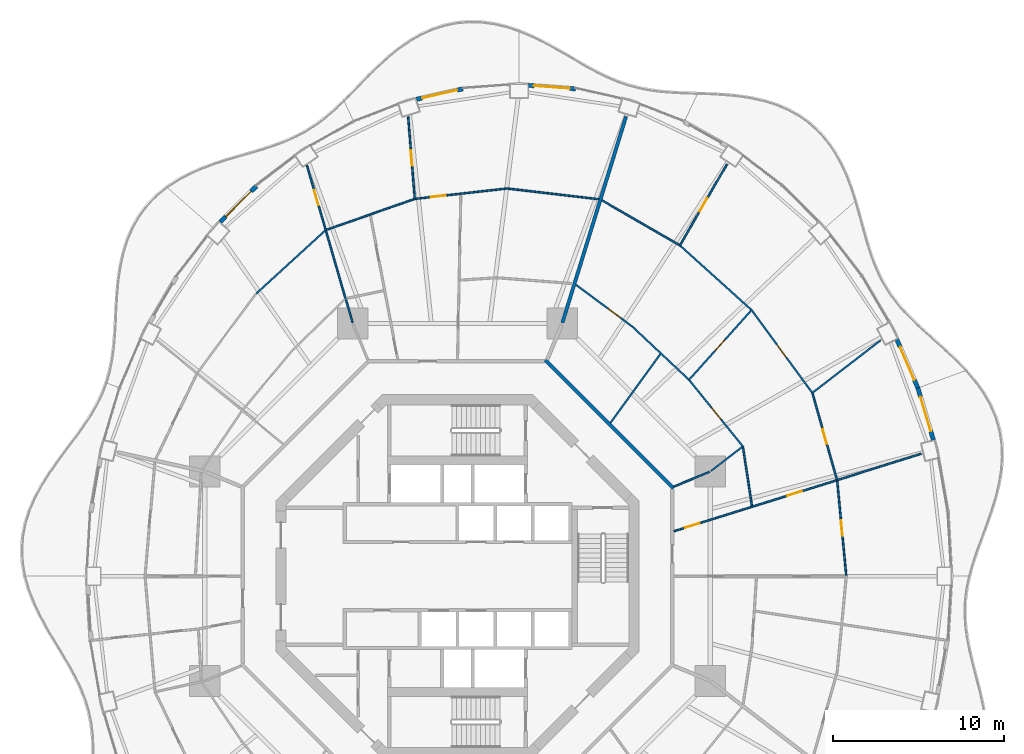
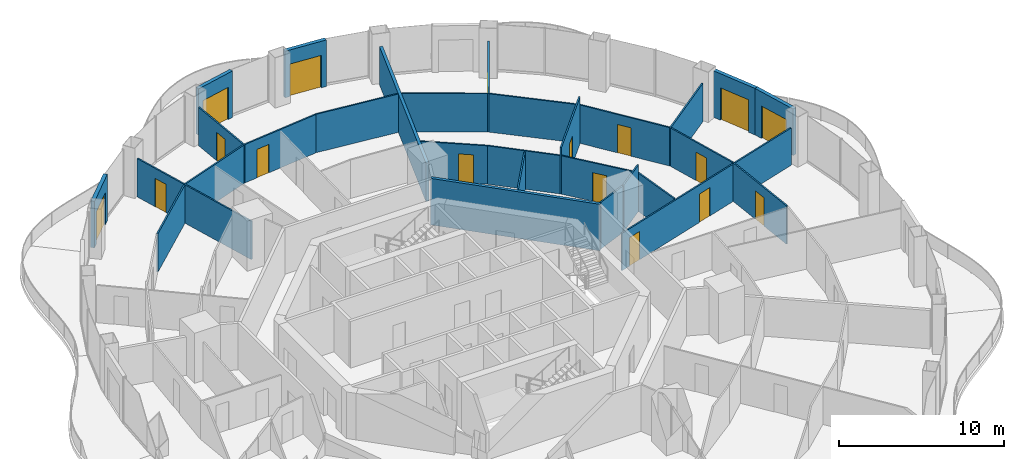
# One storey, part 15 of 19: 29 walls, 17 doors, 17 openings.
"""IFC4 building model written with IfcOpenShell, lengths in metres."""

import ifcopenshell
import ifcopenshell.guid

model = None  # the IFC model being written
_history = None  # IfcOwnerHistory: only IFC2X3 demands one
_inside = {}  # id of a spatial element -> (the spatial element, [elements in it])
_under = {}  # id of a project, library or spatial element -> (it, [spatial elements below it])
_declared = {}  # id of a project -> (the project, [libraries it declares])
_typed = {}  # id of a type object -> (the type object, [elements of that type])
_made_of = {}  # id of a material, layer set ... -> (it, [elements and type objects made of it])


def new_model(schema):
    """Start an empty IFC model of exactly this schema.

    Asked for "IFC4X3", IfcOpenShell would pick the latest addendum, in which some entities
    have other attributes; the version numbers below select the first issue.
    IFC2X3 requires an IfcOwnerHistory on every rooted entity: one is made here for all.
    """
    global model, _history
    if schema == "IFC4X3":
        model = ifcopenshell.file(schema_version=(4, 3, 0, 0))
    else:
        model = ifcopenshell.file(schema=schema)
    _inside.clear()
    _under.clear()
    _declared.clear()
    _typed.clear()
    _made_of.clear()
    _history = None
    if model.schema == "IFC2X3":
        org = make("IfcOrganization", Name="unknown")
        user = make(
            "IfcPersonAndOrganization",
            ThePerson=make("IfcPerson", FamilyName="unknown"),
            TheOrganization=org,
        )
        app = make(
            "IfcApplication",
            ApplicationDeveloper=org,
            Version="unknown",
            ApplicationFullName="unknown",
            ApplicationIdentifier="unknown",
        )
        _history = make(
            "IfcOwnerHistory",
            OwningUser=user,
            OwningApplication=app,
            ChangeAction="ADDED",
            CreationDate=0,
        )
    return model


def make(cls, **values):
    """One entity of the class cls with the attributes given. An attribute that is None is left unset."""
    return model.create_entity(
        cls, **{name: value for name, value in values.items() if value is not None}
    )


def rooted(cls, **values):
    """An entity with a GlobalId (a new one), such as an element, a storey or a relation."""
    return make(cls, GlobalId=ifcopenshell.guid.new(), OwnerHistory=_history, **values)


def si_unit(unit_type, name, prefix=None):
    """IfcSIUnit, for example si_unit("LENGTHUNIT", "METRE", prefix="MILLI")."""
    return make("IfcSIUnit", UnitType=unit_type, Prefix=prefix, Name=name)


def assignment(units):
    """IfcUnitAssignment: the units of a project."""
    return None if units is None else make("IfcUnitAssignment", Units=units)


def point(xyz):
    """IfcCartesianPoint."""
    return None if xyz is None else make("IfcCartesianPoint", Coordinates=xyz)


def direction(xyz):
    """IfcDirection."""
    return None if xyz is None else make("IfcDirection", DirectionRatios=xyz)


def frame(location, z_axis=None, x_axis=None):
    """IfcAxis2Placement3D, a coordinate frame: its origin and axes. An axis left out is left unset."""
    return make(
        "IfcAxis2Placement3D",
        Location=point(location),
        Axis=direction(z_axis),
        RefDirection=direction(x_axis),
    )


def frame_2d(location, x_axis=None):
    """IfcAxis2Placement2D, a coordinate frame in the plane: its origin and x axis."""
    return make(
        "IfcAxis2Placement2D", Location=point(location), RefDirection=direction(x_axis)
    )


def origin():
    """The frame at (0, 0, 0) with its axes left unset."""
    return frame((0.0, 0.0, 0.0))


def place(relative_to, where):
    """IfcLocalPlacement: puts the frame where relative to a parent placement (None: the world)."""
    return make(
        "IfcLocalPlacement", PlacementRelTo=relative_to, RelativePlacement=where
    )


def context(
    kind, dimensions, precision=None, world=None, true_north=None, identifier=None
):
    """IfcGeometricRepresentationContext, for example the 3D "Model" context."""
    return make(
        "IfcGeometricRepresentationContext",
        ContextIdentifier=identifier,
        ContextType=kind,
        CoordinateSpaceDimension=dimensions,
        Precision=precision,
        WorldCoordinateSystem=world,
        TrueNorth=true_north,
    )


def subcontext(parent, identifier, kind, view, scale=None):
    """IfcGeometricRepresentationSubContext, for example "Body" below "Model"."""
    return make(
        "IfcGeometricRepresentationSubContext",
        ContextIdentifier=identifier,
        ContextType=kind,
        ParentContext=parent,
        TargetScale=scale,
        TargetView=view,
    )


def project(units=None, contexts=None):
    """IfcProject with its units and contexts."""
    return rooted(
        "IfcProject",
        Name="project",
        RepresentationContexts=contexts,
        UnitsInContext=assignment(units),
    )


def spatial(cls, under=None, at=None, **own):
    """A site, building, storey or space (cls), placed at a placement, below another one or the project."""
    s = rooted(cls, ObjectPlacement=at, **own)
    if under is not None:
        _under.setdefault(under.id(), (under, []))[1].append(s)
    return s


def profile(cls, at=None, kind="AREA", **sizes):
    """A parametric profile (cls). Its sizes go by their IFC names, for example OverallWidth=200.0."""
    return make(cls, ProfileType=kind, Position=at, **sizes)


def rectangle(**sizes):
    """IfcRectangleProfileDef."""
    return profile("IfcRectangleProfileDef", **sizes)


def extrude(swept, where, along, depth):
    """IfcExtrudedAreaSolid: the profile swept, set in the frame where, extruded along a direction by depth."""
    return make(
        "IfcExtrudedAreaSolid",
        SweptArea=swept,
        Position=where,
        ExtrudedDirection=direction(along),
        Depth=depth,
    )


def shape(context_of_items, identifier, shape_type, items):
    """IfcShapeRepresentation: the items that make up one representation, for example the "Body"."""
    return make(
        "IfcShapeRepresentation",
        ContextOfItems=context_of_items,
        RepresentationIdentifier=identifier,
        RepresentationType=shape_type,
        Items=items,
    )


def material(Name=None, Category=None):
    """IfcMaterial."""
    return make("IfcMaterial", Name=Name, Category=Category)


def layer(
    of_material, thickness, ventilated=None, Name=None, Category=None, Priority=None
):
    """IfcMaterialLayer: one layer of a wall or slab, of a material (None: an air gap)."""
    return make(
        "IfcMaterialLayer",
        Material=of_material,
        LayerThickness=thickness,
        IsVentilated=ventilated,
        Name=Name,
        Category=Category,
        Priority=Priority,
    )


def layer_set(layers, Name=None):
    """IfcMaterialLayerSet."""
    return make("IfcMaterialLayerSet", MaterialLayers=layers, LayerSetName=Name)


def made_of(thing, what):
    """Note that an element or type object is made of a material, layer set ...; save() writes the relation."""
    if what is not None:
        _made_of.setdefault(what.id(), (what, []))[1].append(thing)
    return thing


def type_object(cls, material=None, **own):
    """A type object (cls), such as IfcWallType, which elements share."""
    return made_of(rooted(cls, **own), material)


def element(
    cls,
    number,
    at=None,
    inside=None,
    cuts=None,
    type_object=None,
    material=None,
    context=None,
    identifier="Body",
    shape_type=None,
    held_by="IfcProductDefinitionShape",
    body=None,
    shapes=None,
    **own,
):
    """One element of the class cls, such as IfcWall. Its Tag is "e" and its number.

    at: its placement. inside: the storey or other place that contains it. cuts: it is an
    opening in that element (IfcRelVoidsElement). A single representation is given by context,
    identifier, shape_type and body (its items); several are given by shapes. held_by: the class
    of the entity that holds the representations. save() writes the other relations.
    """
    e = rooted(cls, Tag="e%d" % number, ObjectPlacement=at, **own)
    if body is not None:
        shapes = [shape(context, identifier, shape_type, body)]
    if shapes is not None:
        e.Representation = make(held_by, Representations=shapes)
    if inside is not None:
        _inside.setdefault(inside.id(), (inside, []))[1].append(e)
    if cuts is not None:
        rooted(
            "IfcRelVoidsElement", RelatingBuildingElement=cuts, RelatedOpeningElement=e
        )
    if type_object is not None:
        _typed.setdefault(type_object.id(), (type_object, []))[1].append(e)
    return made_of(e, material)


def fill(opening, filler):
    """IfcRelFillsElement: the door or window that sits in an opening."""
    return rooted(
        "IfcRelFillsElement",
        RelatingOpeningElement=opening,
        RelatedBuildingElement=filler,
    )


def aggregate(whole, parts):
    """IfcRelAggregates: a whole, such as a stair, and the parts it consists of."""
    return rooted("IfcRelAggregates", RelatingObject=whole, RelatedObjects=parts)


def save(model, path):
    """Write the relations noted so far, then the file.

    IfcRelAggregates (storeys below a building ...), IfcRelContainedInSpatialStructure (elements
    in a storey), IfcRelDefinesByType, IfcRelAssociatesMaterial and IfcRelDeclares: one each for
    every whole, place, type object, material and project.
    """
    for whole, parts in _under.values():
        aggregate(whole, parts)
    for where, things in _inside.values():
        rooted(
            "IfcRelContainedInSpatialStructure",
            RelatedElements=things,
            RelatingStructure=where,
        )
    for kind, things in _typed.values():
        rooted("IfcRelDefinesByType", RelatedObjects=things, RelatingType=kind)
    for what, things in _made_of.values():
        rooted("IfcRelAssociatesMaterial", RelatedObjects=things, RelatingMaterial=what)
    for by, libraries in _declared.values():
        rooted("IfcRelDeclares", RelatingContext=by, RelatedDefinitions=libraries)
    model.write(path)


model = new_model("IFC4")

# Units and contexts
model_context = context("Model", 3, precision=1e-05, world=origin(), true_north=direction((0.0, 1.0)))
body_context = subcontext(model_context, "Body", "Model", "MODEL_VIEW")
ifc_project = project(units=[si_unit("LENGTHUNIT", "METRE"), si_unit("AREAUNIT", "SQUARE_METRE"), si_unit("VOLUMEUNIT", "CUBIC_METRE"), si_unit("PLANEANGLEUNIT", "RADIAN"), si_unit("MASSUNIT", "GRAM", prefix="KILO")], contexts=[model_context])

# Site, building, storey
site_placement = place(None, origin())
site = spatial("IfcSite", under=ifc_project, at=site_placement, CompositionType="ELEMENT")
building_placement = place(site_placement, origin())
building = spatial("IfcBuilding", under=site, at=building_placement, Name="Nagisa Residences", CompositionType="ELEMENT")
storey_placement = place(building_placement, frame((0.0, 0.0, 169.60009765625)))
storey = spatial("IfcBuildingStorey", under=building, at=storey_placement, Name="L42", CompositionType="ELEMENT", Elevation=169.60009765625)

# Walls
ifc_material_1 = material(Name="Gypsum board on steel studs", Category="steel")
ifc_layer_1 = layer(ifc_material_1, 0.199951171875)
ifc_layer_set_1 = layer_set([ifc_layer_1], Name="Apartment compartment wall EI60 200")
wall_type_1 = type_object("IfcWallType", Name="Apartment compartment wall EI60 200", PredefinedType="PARTITIONING", material=ifc_layer_set_1)
wall_1_placement = place(storey_placement, frame((6.1376953125, 14.829833984375, 0.0), z_axis=(0.0, 0.0, 1.0), x_axis=(0.294818517221, 0.955553264818, 0.0)))
element("IfcWall", 1, at=wall_1_placement, inside=storey, type_object=wall_type_1, Name="wall:L42:u01", PredefinedType="PARTITIONING", context=body_context, shape_type="SweptSolid", body=[
    extrude(rectangle(XDim=12.619384765625, YDim=0.199951171875, at=frame_2d((6.3095703125, 0.0))), origin(), (0.0, 0.0, 1.0), 2.8369140625),
])
ifc_material_2 = material(Name="Gypsum board on steel studs", Category="steel")
ifc_layer_2 = layer(ifc_material_2, 0.199951171875)
ifc_layer_set_2 = layer_set([ifc_layer_2], Name="Apartment entry wall EI60 200")
wall_type_2 = type_object("IfcWallType", Name="Apartment entry wall EI60 200", PredefinedType="PARTITIONING", material=ifc_layer_set_2)
wall_2_placement = place(storey_placement, frame((12.635498046875, 5.1337890625, 0.0), z_axis=(0.0, 0.0, 1.0), x_axis=(-0.707106781187, 0.707106781187, 0.0)))
element("IfcWall", 2, at=wall_2_placement, inside=storey, type_object=wall_type_2, Name="wall:L42:u09", PredefinedType="PARTITIONING", context=body_context, shape_type="SweptSolid", body=[
    extrude(rectangle(XDim=10.609130859375, YDim=0.199951171875, at=frame_2d((5.3046875, 0.0))), origin(), (0.0, 0.0, 1.0), 3.43994140625),
])

# Wall, opening, door
ifc_material_3 = material(Name="Gypsum board on steel studs", Category="steel")
ifc_layer_3 = layer(ifc_material_3, 0.10009765625)
ifc_layer_set_3 = layer_set([ifc_layer_3], Name="Apartment partition 100")
wall_type_3 = type_object("IfcWallType", Name="Apartment partition 100", PredefinedType="PARTITIONING", material=ifc_layer_set_3)
wall_3_placement = place(storey_placement, frame((22.734375, 0.0498046875, 0.0), z_axis=(0.0, 0.0, 1.0), x_axis=(-0.094923312677, 0.995484587882, 0.0)))
wall_3 = element("IfcWall", 3, at=wall_3_placement, inside=storey, type_object=wall_type_3, Name="wall:L42:u18", PredefinedType="PARTITIONING", context=body_context, shape_type="SweptSolid", body=[
    extrude(rectangle(XDim=5.5478515625, YDim=0.10009765625, at=frame_2d((2.77392578125, 0.0))), origin(), (0.0, 0.0, 1.0), 2.8369140625),
])
opening_1_placement = place(wall_3_placement, frame((2.323974609375, 0.0, 0.0)))
opening_1 = element("IfcOpeningElement", 4, at=opening_1_placement, cuts=wall_3, Name="Opening L42-U09", PredefinedType="OPENING", context=body_context, shape_type="SweptSolid", body=[
    extrude(rectangle(XDim=0.89990234375, YDim=2.10009765625, at=frame_2d((0.449951171875, 1.050048828125))), frame((0.0, 0.06005859375, 0.0), z_axis=(0.0, -1.0, 0.0), x_axis=(1.0, 0.0, 0.0)), (0.0, 0.0, 1.0), 0.1201171875),
])
ifc_material_4 = material(Name="Timber door set", Category="wood")
door_type_1 = type_object("IfcDoorType", Name="Apartment door 900x2100", OperationType="NOTDEFINED", PredefinedType="DOOR", material=ifc_material_4)
door_1_placement = place(opening_1_placement, frame((0.89990234375, 0.0, 0.0), x_axis=(-1.0, 0.0, 0.0)))
door_1 = element("IfcDoor", 5, at=door_1_placement, inside=storey, type_object=door_type_1, Name="Door to dining room, Apartment 42A", OperationType="SINGLE_SWING_RIGHT", OverallHeight=2.10009765625, OverallWidth=0.89990234375, PredefinedType="DOOR", context=body_context, shape_type="SweptSolid", body=[
    extrude(rectangle(XDim=0.89990234375, YDim=2.10009765625, at=frame_2d((0.449951171875, 1.050048828125))), frame((0.0, 0.02490234375, 0.0), z_axis=(0.0, -1.0, 0.0), x_axis=(1.0, 0.0, 0.0)), (0.0, 0.0, 1.0), 0.050048828125),
])
fill(opening_1, door_1)

# Wall, openings, doors
wall_4_placement = place(storey_placement, frame((12.66015625, 2.632080078125, 0.0), z_axis=(0.0, 0.0, 1.0), x_axis=(0.954248738607, 0.299013954302, 0.0)))
wall_4 = element("IfcWall", 6, at=wall_4_placement, inside=storey, type_object=wall_type_3, Name="wall:L42:u20", PredefinedType="PARTITIONING", context=body_context, shape_type="SweptSolid", body=[
    extrude(rectangle(XDim=15.141845703125, YDim=0.10009765625, at=frame_2d((7.57080078125, 0.0))), origin(), (0.0, 0.0, 1.0), 2.755859375),
])
opening_2_placement = place(wall_4_placement, frame((0.668701171875, 0.0, 0.0)))
opening_2 = element("IfcOpeningElement", 7, at=opening_2_placement, cuts=wall_4, Name="Opening L42-U03", PredefinedType="OPENING", context=body_context, shape_type="SweptSolid", body=[
    extrude(rectangle(XDim=0.89990234375, YDim=2.10009765625, at=frame_2d((0.449951171875, 1.050048828125))), frame((0.0, 0.06005859375, 0.0), z_axis=(0.0, -1.0, 0.0), x_axis=(1.0, 0.0, 0.0)), (0.0, 0.0, 1.0), 0.1201171875),
])
opening_3_placement = place(wall_4_placement, frame((6.94384765625, 0.0, 0.0)))
opening_3 = element("IfcOpeningElement", 8, at=opening_3_placement, cuts=wall_4, Name="Opening L42-U06", PredefinedType="OPENING", context=body_context, shape_type="SweptSolid", body=[
    extrude(rectangle(XDim=0.89990234375, YDim=2.10009765625, at=frame_2d((0.449951171875, 1.050048828125))), frame((0.0, 0.06005859375, 0.0), z_axis=(0.0, -1.0, 0.0), x_axis=(1.0, 0.0, 0.0)), (0.0, 0.0, 1.0), 0.1201171875),
])
door_2_placement = place(opening_2_placement, origin())
door_2 = element("IfcDoor", 9, at=door_2_placement, inside=storey, type_object=door_type_1, Name="Door to family bathroom, Apartment 42A", OperationType="SINGLE_SWING_LEFT", OverallHeight=2.10009765625, OverallWidth=0.89990234375, PredefinedType="DOOR", context=body_context, shape_type="SweptSolid", body=[
    extrude(rectangle(XDim=0.89990234375, YDim=2.10009765625, at=frame_2d((0.449951171875, 1.050048828125))), frame((0.0, 0.02490234375, 0.0), z_axis=(0.0, -1.0, 0.0), x_axis=(1.0, 0.0, 0.0)), (0.0, 0.0, 1.0), 0.050048828125),
])
fill(opening_2, door_2)
door_3_placement = place(opening_3_placement, origin())
door_3 = element("IfcDoor", 10, at=door_3_placement, inside=storey, type_object=door_type_1, Name="Door to dining room, Apartment 42A", OperationType="SINGLE_SWING_RIGHT", OverallHeight=2.10009765625, OverallWidth=0.89990234375, PredefinedType="DOOR", context=body_context, shape_type="SweptSolid", body=[
    extrude(rectangle(XDim=0.89990234375, YDim=2.10009765625, at=frame_2d((0.449951171875, 1.050048828125))), frame((0.0, 0.02490234375, 0.0), z_axis=(0.0, -1.0, 0.0), x_axis=(1.0, 0.0, 0.0)), (0.0, 0.0, 1.0), 0.050048828125),
])
fill(opening_3, door_3)

# Wall
wall_5_placement = place(storey_placement, frame((17.220947265625, 4.113037109375, 0.0), z_axis=(0.0, 0.0, 1.0), x_axis=(-0.151078880423, 0.988521710379, 0.0)))
element("IfcWall", 11, at=wall_5_placement, inside=storey, type_object=wall_type_3, Name="wall:L42:u21", PredefinedType="PARTITIONING", context=body_context, shape_type="SweptSolid", body=[
    extrude(rectangle(XDim=3.469482421875, YDim=0.10009765625, at=frame_2d((1.73486328125, 0.0))), origin(), (0.0, 0.0, 1.0), 2.8369140625),
])

# Wall, opening, door
wall_6_placement = place(storey_placement, frame((22.189453125, 5.67041015625, 0.0), z_axis=(0.0, 0.0, 1.0), x_axis=(-0.273815967041, 0.961782104322, 0.0)))
wall_6 = element("IfcWall", 12, at=wall_6_placement, inside=storey, type_object=wall_type_3, Name="wall:L42:u22", PredefinedType="PARTITIONING", context=body_context, shape_type="SweptSolid", body=[
    extrude(rectangle(XDim=5.20166015625, YDim=0.10009765625, at=frame_2d((2.600830078125, 0.0))), origin(), (0.0, 0.0, 1.0), 2.8369140625),
])
opening_4_placement = place(wall_6_placement, frame((2.15087890625, 0.0, 0.0)))
opening_4 = element("IfcOpeningElement", 13, at=opening_4_placement, cuts=wall_6, Name="Opening L42-U10", PredefinedType="OPENING", context=body_context, shape_type="SweptSolid", body=[
    extrude(rectangle(XDim=0.89990234375, YDim=2.10009765625, at=frame_2d((0.449951171875, 1.050048828125))), frame((0.0, 0.06005859375, 0.0), z_axis=(0.0, -1.0, 0.0), x_axis=(1.0, 0.0, 0.0)), (0.0, 0.0, 1.0), 0.1201171875),
])
door_4_placement = place(opening_4_placement, frame((0.89990234375, 0.0, 0.0), x_axis=(-1.0, 0.0, 0.0)))
door_4 = element("IfcDoor", 14, at=door_4_placement, inside=storey, type_object=door_type_1, Name="Door to master bedroom, Apartment 42A", OperationType="SINGLE_SWING_LEFT", OverallHeight=2.10009765625, OverallWidth=0.89990234375, PredefinedType="DOOR", context=body_context, shape_type="SweptSolid", body=[
    extrude(rectangle(XDim=0.89990234375, YDim=2.10009765625, at=frame_2d((0.449951171875, 1.050048828125))), frame((0.0, 0.02490234375, 0.0), z_axis=(0.0, -1.0, 0.0), x_axis=(1.0, 0.0, 0.0)), (0.0, 0.0, 1.0), 0.050048828125),
])
fill(opening_4, door_4)

# Walls
wall_7_placement = place(storey_placement, frame((12.6572265625, 5.24267578125, 0.0), z_axis=(0.0, 0.0, 1.0), x_axis=(0.923826362943, 0.382811769845, 0.0)))
element("IfcWall", 15, at=wall_7_placement, inside=storey, type_object=wall_type_3, Name="wall:L42:u23", PredefinedType="PARTITIONING", context=body_context, shape_type="SweptSolid", body=[
    extrude(rectangle(XDim=2.25, YDim=0.10009765625, at=frame_2d((1.125, 0.0))), origin(), (0.0, 0.0, 1.0), 3.43994140625),
])
wall_8_placement = place(storey_placement, frame((14.82177734375, 6.153564453125, 0.0), z_axis=(0.0, 0.0, 1.0), x_axis=(0.792226528082, 0.610227111987, 0.0)))
element("IfcWall", 16, at=wall_8_placement, inside=storey, type_object=wall_type_3, Name="wall:L42:u24", PredefinedType="PARTITIONING", context=body_context, shape_type="SweptSolid", body=[
    extrude(rectangle(XDim=2.307373046875, YDim=0.10009765625, at=frame_2d((1.15380859375, 0.0))), origin(), (0.0, 0.0, 1.0), 3.43994140625),
])

# Wall, opening, door
wall_9_placement = place(storey_placement, frame((16.720703125, 7.55322265625, 0.0), z_axis=(0.0, 0.0, 1.0), x_axis=(-0.628753513808, 0.777604667472, 0.0)))
wall_9 = element("IfcWall", 17, at=wall_9_placement, inside=storey, type_object=wall_type_3, Name="wall:L42:u25", PredefinedType="PARTITIONING", context=body_context, shape_type="SweptSolid", body=[
    extrude(rectangle(XDim=5.00732421875, YDim=0.10009765625, at=frame_2d((2.503662109375, 0.0))), origin(), (0.0, 0.0, 1.0), 2.8369140625),
])
opening_5_placement = place(wall_9_placement, frame((2.07861328125, 0.0, 0.0)))
opening_5 = element("IfcOpeningElement", 18, at=opening_5_placement, cuts=wall_9, Name="Opening L42-U13", PredefinedType="OPENING", context=body_context, shape_type="SweptSolid", body=[
    extrude(rectangle(XDim=0.89990234375, YDim=2.10009765625, at=frame_2d((0.449951171875, 1.050048828125))), frame((0.0, 0.06005859375, 0.0), z_axis=(0.0, -1.0, 0.0), x_axis=(1.0, 0.0, 0.0)), (0.0, 0.0, 1.0), 0.1201171875),
])
door_5_placement = place(opening_5_placement, origin())
door_5 = element("IfcDoor", 19, at=door_5_placement, inside=storey, type_object=door_type_1, Name="Door to store, Apartment 42A", OperationType="SINGLE_SWING_LEFT", OverallHeight=2.10009765625, OverallWidth=0.89990234375, PredefinedType="DOOR", context=body_context, shape_type="SweptSolid", body=[
    extrude(rectangle(XDim=0.89990234375, YDim=2.10009765625, at=frame_2d((0.449951171875, 1.050048828125))), frame((0.0, 0.02490234375, 0.0), z_axis=(0.0, -1.0, 0.0), x_axis=(1.0, 0.0, 0.0)), (0.0, 0.0, 1.0), 0.050048828125),
])
fill(opening_5, door_5)

# Wall
wall_10_placement = place(storey_placement, frame((20.7119140625, 10.69091796875, 0.0), z_axis=(0.0, 0.0, 1.0), x_axis=(0.79220362146, 0.610256849323, 0.0)))
element("IfcWall", 20, at=wall_10_placement, inside=storey, type_object=wall_type_3, Name="wall:L42:u26", PredefinedType="PARTITIONING", context=body_context, shape_type="SweptSolid", body=[
    extrude(rectangle(XDim=5.09765625, YDim=0.10009765625, at=frame_2d((2.548828125, 0.0))), origin(), (0.0, 0.0, 1.0), 2.8369140625),
])

# Wall, opening, door
wall_11_placement = place(storey_placement, frame((20.721923828125, 10.76171875, 0.0), z_axis=(0.0, 0.0, 1.0), x_axis=(-0.591124135033, 0.806580595466, 0.0)))
wall_11 = element("IfcWall", 21, at=wall_11_placement, inside=storey, type_object=wall_type_3, Name="wall:L42:u27", PredefinedType="PARTITIONING", context=body_context, shape_type="SweptSolid", body=[
    extrude(rectangle(XDim=6.01025390625, YDim=0.10009765625, at=frame_2d((3.005126953125, 0.0))), origin(), (0.0, 0.0, 1.0), 2.8369140625),
])
opening_6_placement = place(wall_11_placement, frame((2.530029296875, 0.0, 0.0)))
opening_6 = element("IfcOpeningElement", 22, at=opening_6_placement, cuts=wall_11, Name="Opening L42-U11", PredefinedType="OPENING", context=body_context, shape_type="SweptSolid", body=[
    extrude(rectangle(XDim=0.89990234375, YDim=2.10009765625, at=frame_2d((0.449951171875, 1.050048828125))), frame((0.0, 0.06005859375, 0.0), z_axis=(0.0, -1.0, 0.0), x_axis=(1.0, 0.0, 0.0)), (0.0, 0.0, 1.0), 0.1201171875),
])
door_6_placement = place(opening_6_placement, frame((0.89990234375, 0.0, 0.0), x_axis=(-1.0, 0.0, 0.0)))
door_6 = element("IfcDoor", 23, at=door_6_placement, inside=storey, type_object=door_type_1, Name="Door to family room, Apartment 42A", OperationType="SINGLE_SWING_RIGHT", OverallHeight=2.10009765625, OverallWidth=0.89990234375, PredefinedType="DOOR", context=body_context, shape_type="SweptSolid", body=[
    extrude(rectangle(XDim=0.89990234375, YDim=2.10009765625, at=frame_2d((0.449951171875, 1.050048828125))), frame((0.0, 0.02490234375, 0.0), z_axis=(0.0, -1.0, 0.0), x_axis=(1.0, 0.0, 0.0)), (0.0, 0.0, 1.0), 0.050048828125),
])
fill(opening_6, door_6)

wall_12_placement = place(storey_placement, frame((13.50732421875, 11.44873046875, 0.0), z_axis=(0.0, 0.0, 1.0), x_axis=(0.667299792168, 0.744789223453, 0.0)))
wall_12 = element("IfcWall", 24, at=wall_12_placement, inside=storey, type_object=wall_type_3, Name="wall:L42:u28", PredefinedType="PARTITIONING", context=body_context, shape_type="SweptSolid", body=[
    extrude(rectangle(XDim=5.482177734375, YDim=0.10009765625, at=frame_2d((2.7412109375, 0.0))), origin(), (0.0, 0.0, 1.0), 3.43994140625),
])
opening_7_placement = place(wall_12_placement, frame((2.316162109375, 0.0, 0.0)))
opening_7 = element("IfcOpeningElement", 25, at=opening_7_placement, cuts=wall_12, Name="Opening L42-U07", PredefinedType="OPENING", context=body_context, shape_type="SweptSolid", body=[
    extrude(rectangle(XDim=0.89990234375, YDim=2.10009765625, at=frame_2d((0.449951171875, 1.050048828125))), frame((0.0, 0.06005859375, 0.0), z_axis=(0.0, -1.0, 0.0), x_axis=(1.0, 0.0, 0.0)), (0.0, 0.0, 1.0), 0.1201171875),
])
door_7_placement = place(opening_7_placement, origin())
door_7 = element("IfcDoor", 26, at=door_7_placement, inside=storey, type_object=door_type_1, Name="Door to family room, Apartment 42A", OperationType="SINGLE_SWING_LEFT", OverallHeight=2.10009765625, OverallWidth=0.89990234375, PredefinedType="DOOR", context=body_context, shape_type="SweptSolid", body=[
    extrude(rectangle(XDim=0.89990234375, YDim=2.10009765625, at=frame_2d((0.449951171875, 1.050048828125))), frame((0.0, 0.02490234375, 0.0), z_axis=(0.0, -1.0, 0.0), x_axis=(1.0, 0.0, 0.0)), (0.0, 0.0, 1.0), 0.050048828125),
])
fill(opening_7, door_7)

# Walls
wall_13_placement = place(storey_placement, frame((13.50439453125, 11.52001953125, 0.0), z_axis=(0.0, 0.0, 1.0), x_axis=(-0.728883199496, 0.684638066055, 0.0)))
element("IfcWall", 27, at=wall_13_placement, inside=storey, type_object=wall_type_3, Name="wall:L42:u29", PredefinedType="PARTITIONING", context=body_context, shape_type="SweptSolid", body=[
    extrude(rectangle(XDim=4.519287109375, YDim=0.10009765625, at=frame_2d((2.259765625, 0.0))), origin(), (0.0, 0.0, 1.0), 2.8369140625),
])
wall_14_placement = place(storey_placement, frame((17.16162109375, 15.6025390625, 0.0), z_axis=(0.0, 0.0, 1.0), x_axis=(-0.742790086539, 0.66952437397, 0.0)))
element("IfcWall", 28, at=wall_14_placement, inside=storey, type_object=wall_type_3, Name="wall:L42:u30", PredefinedType="PARTITIONING", context=body_context, shape_type="SweptSolid", body=[
    extrude(rectangle(XDim=5.54150390625, YDim=0.10009765625, at=frame_2d((2.770751953125, 0.0))), origin(), (0.0, 0.0, 1.0), 2.8369140625),
])
wall_15_placement = place(storey_placement, frame((8.943359375, 8.965576171875, 0.0), z_axis=(0.0, 0.0, 1.0), x_axis=(0.587187896734, 0.809450661825, 0.0)))
element("IfcWall", 29, at=wall_15_placement, inside=storey, type_object=wall_type_3, Name="wall:L42:u31", PredefinedType="PARTITIONING", context=body_context, shape_type="SweptSolid", body=[
    extrude(rectangle(XDim=4.974853515625, YDim=0.10009765625, at=frame_2d((2.4873046875, 0.0))), origin(), (0.0, 0.0, 1.0), 2.755859375),
])

# Wall, opening, door
wall_16_placement = place(storey_placement, frame((10.20654296875, 14.609619140625, 0.0), z_axis=(0.0, 0.0, 1.0), x_axis=(-0.802769141821, 0.596289950394, 0.0)))
wall_16 = element("IfcWall", 30, at=wall_16_placement, inside=storey, type_object=wall_type_3, Name="wall:L42:u32", PredefinedType="PARTITIONING", context=body_context, shape_type="SweptSolid", body=[
    extrude(rectangle(XDim=4.09228515625, YDim=0.10009765625, at=frame_2d((2.046142578125, 0.0))), origin(), (0.0, 0.0, 1.0), 2.8369140625),
])
opening_8_placement = place(wall_16_placement, frame((0.848388671875, 0.0, 0.0)))
opening_8 = element("IfcOpeningElement", 31, at=opening_8_placement, cuts=wall_16, Name="Opening L42-U14", PredefinedType="OPENING", context=body_context, shape_type="SweptSolid", body=[
    extrude(rectangle(XDim=0.89990234375, YDim=2.10009765625, at=frame_2d((0.449951171875, 1.050048828125))), frame((0.0, 0.06005859375, 0.0), z_axis=(0.0, -1.0, 0.0), x_axis=(1.0, 0.0, 0.0)), (0.0, 0.0, 1.0), 0.1201171875),
])
door_8_placement = place(opening_8_placement, origin())
door_8 = element("IfcDoor", 32, at=door_8_placement, inside=storey, type_object=door_type_1, Name="Door to laundry, Apartment 42A", OperationType="SINGLE_SWING_RIGHT", OverallHeight=2.10009765625, OverallWidth=0.89990234375, PredefinedType="DOOR", context=body_context, shape_type="SweptSolid", body=[
    extrude(rectangle(XDim=0.89990234375, YDim=2.10009765625, at=frame_2d((0.449951171875, 1.050048828125))), frame((0.0, 0.02490234375, 0.0), z_axis=(0.0, -1.0, 0.0), x_axis=(1.0, 0.0, 0.0)), (0.0, 0.0, 1.0), 0.050048828125),
])
fill(opening_8, door_8)

wall_17_placement = place(storey_placement, frame((12.983154296875, 19.302978515625, 0.0), z_axis=(0.0, 0.0, 1.0), x_axis=(0.501315846071, 0.865264365659, 0.0)))
wall_17 = element("IfcWall", 33, at=wall_17_placement, inside=storey, type_object=wall_type_3, Name="wall:L42:u33", PredefinedType="PARTITIONING", context=body_context, shape_type="SweptSolid", body=[
    extrude(rectangle(XDim=5.54150390625, YDim=0.10009765625, at=frame_2d((2.770751953125, 0.0))), origin(), (0.0, 0.0, 1.0), 2.8369140625),
])
opening_9_placement = place(wall_17_placement, frame((2.345703125, 0.0, 0.0)))
opening_9 = element("IfcOpeningElement", 34, at=opening_9_placement, cuts=wall_17, Name="Opening L42-U12", PredefinedType="OPENING", context=body_context, shape_type="SweptSolid", body=[
    extrude(rectangle(XDim=0.89990234375, YDim=2.10009765625, at=frame_2d((0.449951171875, 1.050048828125))), frame((0.0, 0.06005859375, 0.0), z_axis=(0.0, -1.0, 0.0), x_axis=(1.0, 0.0, 0.0)), (0.0, 0.0, 1.0), 0.1201171875),
])
door_9_placement = place(opening_9_placement, origin())
door_9 = element("IfcDoor", 35, at=door_9_placement, inside=storey, type_object=door_type_1, Name="Door to living room, Apartment 42A", OperationType="SINGLE_SWING_RIGHT", OverallHeight=2.10009765625, OverallWidth=0.89990234375, PredefinedType="DOOR", context=body_context, shape_type="SweptSolid", body=[
    extrude(rectangle(XDim=0.89990234375, YDim=2.10009765625, at=frame_2d((0.449951171875, 1.050048828125))), frame((0.0, 0.02490234375, 0.0), z_axis=(0.0, -1.0, 0.0), x_axis=(1.0, 0.0, 0.0)), (0.0, 0.0, 1.0), 0.050048828125),
])
fill(opening_9, door_9)

# Walls
wall_18_placement = place(storey_placement, frame((12.965087890625, 19.371337890625, 0.0), z_axis=(0.0, 0.0, 1.0), x_axis=(-0.865286427811, 0.501277765163, 0.0)))
element("IfcWall", 36, at=wall_18_placement, inside=storey, type_object=wall_type_3, Name="wall:L42:u34", PredefinedType="PARTITIONING", context=body_context, shape_type="SweptSolid", body=[
    extrude(rectangle(XDim=5.219970703125, YDim=0.10009765625, at=frame_2d((2.60986328125, 0.0))), origin(), (0.0, 0.0, 1.0), 2.8369140625),
])
wall_19_placement = place(storey_placement, frame((8.262451171875, 22.0498046875, 0.0), z_axis=(0.0, 0.0, 1.0), x_axis=(-0.993250089265, 0.115992500516, 0.0)))
element("IfcWall", 37, at=wall_19_placement, inside=storey, type_object=wall_type_3, Name="wall:L42:u36", PredefinedType="PARTITIONING", context=body_context, shape_type="SweptSolid", body=[
    extrude(rectangle(XDim=5.457763671875, YDim=0.10009765625, at=frame_2d((2.72900390625, 0.0))), origin(), (0.0, 0.0, 1.0), 2.8369140625),
])

# Wall, opening, door
wall_20_placement = place(storey_placement, frame((2.841552734375, 22.67138671875, 0.0), z_axis=(0.0, 0.0, 1.0), x_axis=(-0.993660315081, -0.112424099879, 0.0)))
wall_20 = element("IfcWall", 38, at=wall_20_placement, inside=storey, type_object=wall_type_3, Name="wall:L42:u38", PredefinedType="PARTITIONING", context=body_context, shape_type="SweptSolid", body=[
    extrude(rectangle(XDim=5.32470703125, YDim=0.10009765625, at=frame_2d((2.662353515625, 0.0))), origin(), (0.0, 0.0, 1.0), 2.8369140625),
])
opening_10_placement = place(wall_20_placement, frame((3.543701171875, 0.0, 0.0)))
opening_10 = element("IfcOpeningElement", 39, at=opening_10_placement, cuts=wall_20, Name="Opening L42-U20", PredefinedType="OPENING", context=body_context, shape_type="SweptSolid", body=[
    extrude(rectangle(XDim=0.89990234375, YDim=2.10009765625, at=frame_2d((0.449951171875, 1.050048828125))), frame((0.0, 0.06005859375, 0.0), z_axis=(0.0, -1.0, 0.0), x_axis=(1.0, 0.0, 0.0)), (0.0, 0.0, 1.0), 0.1201171875),
])
door_10_placement = place(opening_10_placement, frame((0.89990234375, 0.0, 0.0), x_axis=(-1.0, 0.0, 0.0)))
door_10 = element("IfcDoor", 40, at=door_10_placement, inside=storey, type_object=door_type_1, Name="Door to living room, Apartment 42B", OperationType="SINGLE_SWING_LEFT", OverallHeight=2.10009765625, OverallWidth=0.89990234375, PredefinedType="DOOR", context=body_context, shape_type="SweptSolid", body=[
    extrude(rectangle(XDim=0.89990234375, YDim=2.10009765625, at=frame_2d((0.449951171875, 1.050048828125))), frame((0.0, 0.02490234375, 0.0), z_axis=(0.0, -1.0, 0.0), x_axis=(1.0, 0.0, 0.0)), (0.0, 0.0, 1.0), 0.050048828125),
])
fill(opening_10, door_10)

wall_21_placement = place(storey_placement, frame((-2.4951171875, 22.017333984375, 0.0), z_axis=(0.0, 0.0, 1.0), x_axis=(-0.080150660566, 0.99678276049, 0.0)))
wall_21 = element("IfcWall", 41, at=wall_21_placement, inside=storey, type_object=wall_type_3, Name="wall:L42:u40", PredefinedType="PARTITIONING", context=body_context, shape_type="SweptSolid", body=[
    extrude(rectangle(XDim=4.8583984375, YDim=0.10009765625, at=frame_2d((2.42919921875, 0.0))), origin(), (0.0, 0.0, 1.0), 2.8369140625),
])
opening_11_placement = place(wall_21_placement, frame((2.004150390625, 0.0, 0.0)))
opening_11 = element("IfcOpeningElement", 42, at=opening_11_placement, cuts=wall_21, Name="Opening L42-U21", PredefinedType="OPENING", context=body_context, shape_type="SweptSolid", body=[
    extrude(rectangle(XDim=0.89990234375, YDim=2.10009765625, at=frame_2d((0.449951171875, 1.050048828125))), frame((0.0, 0.06005859375, 0.0), z_axis=(0.0, -1.0, 0.0), x_axis=(1.0, 0.0, 0.0)), (0.0, 0.0, 1.0), 0.1201171875),
])
door_11_placement = place(opening_11_placement, origin())
door_11 = element("IfcDoor", 43, at=door_11_placement, inside=storey, type_object=door_type_1, Name="Door to bedroom, Apartment 42B", OperationType="SINGLE_SWING_LEFT", OverallHeight=2.10009765625, OverallWidth=0.89990234375, PredefinedType="DOOR", context=body_context, shape_type="SweptSolid", body=[
    extrude(rectangle(XDim=0.89990234375, YDim=2.10009765625, at=frame_2d((0.449951171875, 1.050048828125))), frame((0.0, 0.02490234375, 0.0), z_axis=(0.0, -1.0, 0.0), x_axis=(1.0, 0.0, 0.0)), (0.0, 0.0, 1.0), 0.050048828125),
])
fill(opening_11, door_11)

# Wall
wall_22_placement = place(storey_placement, frame((-2.54638671875, 22.050537109375, 0.0), z_axis=(0.0, 0.0, 1.0), x_axis=(-0.943911038661, -0.330199865375, 0.0)))
element("IfcWall", 44, at=wall_22_placement, inside=storey, type_object=wall_type_3, Name="wall:L42:u41", PredefinedType="PARTITIONING", context=body_context, shape_type="SweptSolid", body=[
    extrude(rectangle(XDim=5.41748046875, YDim=0.10009765625, at=frame_2d((2.708740234375, 0.0))), origin(), (0.0, 0.0, 1.0), 2.8369140625),
])

# Wall, opening, door
wall_23_placement = place(storey_placement, frame((-6.136962890625, 14.830078125, 0.0), z_axis=(0.0, 0.0, 1.0), x_axis=(-0.278461169897, 0.96044748782, 0.0)))
wall_23 = element("IfcWall", 45, at=wall_23_placement, inside=storey, type_object=wall_type_3, Name="wall:L42:u45", PredefinedType="PARTITIONING", context=body_context, shape_type="SweptSolid", body=[
    extrude(rectangle(XDim=9.5732421875, YDim=0.10009765625, at=frame_2d((4.78662109375, 0.0))), origin(), (0.0, 0.0, 1.0), 2.8369140625),
])
opening_12_placement = place(wall_23_placement, frame((7.15576171875, 0.0, 0.0)))
opening_12 = element("IfcOpeningElement", 46, at=opening_12_placement, cuts=wall_23, Name="Opening L42-U22", PredefinedType="OPENING", context=body_context, shape_type="SweptSolid", body=[
    extrude(rectangle(XDim=0.89990234375, YDim=2.10009765625, at=frame_2d((0.449951171875, 1.050048828125))), frame((0.0, 0.06005859375, 0.0), z_axis=(0.0, -1.0, 0.0), x_axis=(1.0, 0.0, 0.0)), (0.0, 0.0, 1.0), 0.1201171875),
])
door_12_placement = place(opening_12_placement, origin())
door_12 = element("IfcDoor", 47, at=door_12_placement, inside=storey, type_object=door_type_1, Name="Door to family room, Apartment 42B", OperationType="SINGLE_SWING_RIGHT", OverallHeight=2.10009765625, OverallWidth=0.89990234375, PredefinedType="DOOR", context=body_context, shape_type="SweptSolid", body=[
    extrude(rectangle(XDim=0.89990234375, YDim=2.10009765625, at=frame_2d((0.449951171875, 1.050048828125))), frame((0.0, 0.02490234375, 0.0), z_axis=(0.0, -1.0, 0.0), x_axis=(1.0, 0.0, 0.0)), (0.0, 0.0, 1.0), 0.050048828125),
])
fill(opening_12, door_12)

# Wall
wall_24_placement = place(storey_placement, frame((-7.743896484375, 20.211669921875, 0.0), z_axis=(0.0, 0.0, 1.0), x_axis=(-0.738051761282, -0.674744097913, 0.0)))
element("IfcWall", 48, at=wall_24_placement, inside=storey, type_object=wall_type_3, Name="wall:L42:u47", PredefinedType="PARTITIONING", context=body_context, shape_type="SweptSolid", body=[
    extrude(rectangle(XDim=5.44921875, YDim=0.10009765625, at=frame_2d((2.724609375, 0.0))), origin(), (0.0, 0.0, 1.0), 2.8369140625),
])

# Wall, opening, door
ifc_material_5 = material(Name="Precast concrete C40/50", Category="concrete")
ifc_layer_4 = layer(ifc_material_5, 0.25)
ifc_layer_set_4 = layer_set([ifc_layer_4], Name="BALCONY DOOR WALL 250")
wall_type_4 = type_object("IfcWallType", Name="BALCONY DOOR WALL 250", PredefinedType="SOLIDWALL", material=ifc_layer_set_4)
wall_25_placement = place(storey_placement, frame((26.923583984375, 11.01416015625, 0.0), z_axis=(0.0, 0.0, 1.0), x_axis=(0.28584838049, -0.958274857946, 0.0)))
wall_25 = element("IfcWall", 49, at=wall_25_placement, inside=storey, type_object=wall_type_4, Name="wall:L42:bay02", PredefinedType="SOLIDWALL", context=body_context, shape_type="SweptSolid", body=[
    extrude(rectangle(XDim=3.182373046875, YDim=0.25, at=frame_2d((1.59130859375, 0.0))), origin(), (0.0, 0.0, 1.0), 3.43994140625),
])
opening_13_placement = place(wall_25_placement, frame((0.541259765625, 0.0, 0.0)))
opening_13 = element("IfcOpeningElement", 50, at=opening_13_placement, cuts=wall_25, Name="Opening BD-L42-01", PredefinedType="OPENING", context=body_context, shape_type="SweptSolid", body=[
    extrude(rectangle(XDim=2.10009765625, YDim=2.39990234375, at=frame_2d((1.050048828125, 1.199951171875))), frame((0.0, 0.135009765625, 0.0), z_axis=(0.0, -1.0, 0.0), x_axis=(1.0, 0.0, 0.0)), (0.0, 0.0, 1.0), 0.27001953125),
])
ifc_material_6 = material(Name="Aluminium and clear glass", Category="aluminium")
door_type_2 = type_object("IfcDoorType", Name="BALCONY SLIDING DOOR 2100x2400", OperationType="SLIDING_TO_LEFT", PredefinedType="DOOR", material=ifc_material_6)
door_13_placement = place(opening_13_placement, origin())
door_13 = element("IfcDoor", 51, at=door_13_placement, inside=storey, type_object=door_type_2, Name="door:L42:bay02", OperationType="SLIDING_TO_LEFT", OverallHeight=2.39990234375, OverallWidth=2.10009765625, PredefinedType="DOOR", context=body_context, shape_type="SweptSolid", body=[
    extrude(rectangle(XDim=2.10009765625, YDim=2.39990234375, at=frame_2d((1.050048828125, 1.199951171875))), frame((0.0, 0.02490234375, 0.0), z_axis=(0.0, -1.0, 0.0), x_axis=(1.0, 0.0, 0.0)), (0.0, 0.0, 1.0), 0.050048828125),
])
fill(opening_13, door_13)

wall_26_placement = place(storey_placement, frame((25.679443359375, 13.883056640625, 0.0), z_axis=(0.0, 0.0, 1.0), x_axis=(0.397620521824, -0.917549955384, 0.0)))
wall_26 = element("IfcWall", 52, at=wall_26_placement, inside=storey, type_object=wall_type_4, Name="wall:L42:bay03", PredefinedType="SOLIDWALL", context=body_context, shape_type="SweptSolid", body=[
    extrude(rectangle(XDim=3.141845703125, YDim=0.25, at=frame_2d((1.57080078125, 0.0))), origin(), (0.0, 0.0, 1.0), 3.43994140625),
])
opening_14_placement = place(wall_26_placement, frame((0.52099609375, 0.0, 0.0)))
opening_14 = element("IfcOpeningElement", 53, at=opening_14_placement, cuts=wall_26, Name="Opening BD-L42-02", PredefinedType="OPENING", context=body_context, shape_type="SweptSolid", body=[
    extrude(rectangle(XDim=2.10009765625, YDim=2.39990234375, at=frame_2d((1.050048828125, 1.199951171875))), frame((0.0, 0.135009765625, 0.0), z_axis=(0.0, -1.0, 0.0), x_axis=(1.0, 0.0, 0.0)), (0.0, 0.0, 1.0), 0.27001953125),
])
door_14_placement = place(opening_14_placement, origin())
door_14 = element("IfcDoor", 54, at=door_14_placement, inside=storey, type_object=door_type_2, Name="door:L42:bay03", OperationType="SLIDING_TO_LEFT", OverallHeight=2.39990234375, OverallWidth=2.10009765625, PredefinedType="DOOR", context=body_context, shape_type="SweptSolid", body=[
    extrude(rectangle(XDim=2.10009765625, YDim=2.39990234375, at=frame_2d((1.050048828125, 1.199951171875))), frame((0.0, 0.02490234375, 0.0), z_axis=(0.0, -1.0, 0.0), x_axis=(1.0, 0.0, 0.0)), (0.0, 0.0, 1.0), 0.050048828125),
])
fill(opening_14, door_14)

wall_27_placement = place(storey_placement, frame((4.13916015625, 28.70947265625, 0.0), z_axis=(0.0, 0.0, 1.0), x_axis=(0.997232064422, -0.074351931305, 0.0)))
wall_27 = element("IfcWall", 55, at=wall_27_placement, inside=storey, type_object=wall_type_4, Name="wall:L42:bay11", PredefinedType="SOLIDWALL", context=body_context, shape_type="SweptSolid", body=[
    extrude(rectangle(XDim=2.771240234375, YDim=0.25, at=frame_2d((1.3857421875, 0.0))), origin(), (0.0, 0.0, 1.0), 3.43994140625),
])
opening_15_placement = place(wall_27_placement, frame((0.335693359375, 0.0, 0.0)))
opening_15 = element("IfcOpeningElement", 56, at=opening_15_placement, cuts=wall_27, Name="Opening BD-L42-04", PredefinedType="OPENING", context=body_context, shape_type="SweptSolid", body=[
    extrude(rectangle(XDim=2.10009765625, YDim=2.39990234375, at=frame_2d((1.050048828125, 1.199951171875))), frame((0.0, 0.135009765625, 0.0), z_axis=(0.0, -1.0, 0.0), x_axis=(1.0, 0.0, 0.0)), (0.0, 0.0, 1.0), 0.27001953125),
])
door_15_placement = place(opening_15_placement, origin())
door_15 = element("IfcDoor", 57, at=door_15_placement, inside=storey, type_object=door_type_2, Name="door:L42:bay11", OperationType="SLIDING_TO_LEFT", OverallHeight=2.39990234375, OverallWidth=2.10009765625, PredefinedType="DOOR", context=body_context, shape_type="SweptSolid", body=[
    extrude(rectangle(XDim=2.10009765625, YDim=2.39990234375, at=frame_2d((1.050048828125, 1.199951171875))), frame((0.0, 0.02490234375, 0.0), z_axis=(0.0, -1.0, 0.0), x_axis=(1.0, 0.0, 0.0)), (0.0, 0.0, 1.0), 0.050048828125),
])
fill(opening_15, door_15)

wall_28_placement = place(storey_placement, frame((-2.403564453125, 27.890625, 0.0), z_axis=(0.0, 0.0, 1.0), x_axis=(0.975324329911, 0.220776926974, 0.0)))
wall_28 = element("IfcWall", 58, at=wall_28_placement, inside=storey, type_object=wall_type_4, Name="wall:L42:bay13", PredefinedType="SOLIDWALL", context=body_context, shape_type="SweptSolid", body=[
    extrude(rectangle(XDim=2.787841796875, YDim=0.25, at=frame_2d((1.39404296875, 0.0))), origin(), (0.0, 0.0, 1.0), 3.43994140625),
])
opening_16_placement = place(wall_28_placement, frame((0.343994140625, 0.0, 0.0)))
opening_16 = element("IfcOpeningElement", 59, at=opening_16_placement, cuts=wall_28, Name="Opening BD-L42-05", PredefinedType="OPENING", context=body_context, shape_type="SweptSolid", body=[
    extrude(rectangle(XDim=2.10009765625, YDim=2.39990234375, at=frame_2d((1.050048828125, 1.199951171875))), frame((0.0, 0.135009765625, 0.0), z_axis=(0.0, -1.0, 0.0), x_axis=(1.0, 0.0, 0.0)), (0.0, 0.0, 1.0), 0.27001953125),
])
door_16_placement = place(opening_16_placement, origin())
door_16 = element("IfcDoor", 60, at=door_16_placement, inside=storey, type_object=door_type_2, Name="door:L42:bay13", OperationType="SLIDING_TO_LEFT", OverallHeight=2.39990234375, OverallWidth=2.10009765625, PredefinedType="DOOR", context=body_context, shape_type="SweptSolid", body=[
    extrude(rectangle(XDim=2.10009765625, YDim=2.39990234375, at=frame_2d((1.050048828125, 1.199951171875))), frame((0.0, 0.02490234375, 0.0), z_axis=(0.0, -1.0, 0.0), x_axis=(1.0, 0.0, 0.0)), (0.0, 0.0, 1.0), 0.050048828125),
])
fill(opening_16, door_16)

wall_29_placement = place(storey_placement, frame((-13.865234375, 20.7177734375, 0.0), z_axis=(0.0, 0.0, 1.0), x_axis=(0.707844845069, 0.706367946122, 0.0)))
wall_29 = element("IfcWall", 61, at=wall_29_placement, inside=storey, type_object=wall_type_4, Name="wall:L42:bay17", PredefinedType="SOLIDWALL", context=body_context, shape_type="SweptSolid", body=[
    extrude(rectangle(XDim=2.9755859375, YDim=0.25, at=frame_2d((1.48779296875, 0.0))), origin(), (0.0, 0.0, 1.0), 3.43994140625),
])
opening_17_placement = place(wall_29_placement, frame((0.437744140625, 0.0, 0.0)))
opening_17 = element("IfcOpeningElement", 62, at=opening_17_placement, cuts=wall_29, Name="Opening BD-L42-06", PredefinedType="OPENING", context=body_context, shape_type="SweptSolid", body=[
    extrude(rectangle(XDim=2.10009765625, YDim=2.39990234375, at=frame_2d((1.050048828125, 1.199951171875))), frame((0.0, 0.135009765625, 0.0), z_axis=(0.0, -1.0, 0.0), x_axis=(1.0, 0.0, 0.0)), (0.0, 0.0, 1.0), 0.27001953125),
])
door_17_placement = place(opening_17_placement, origin())
door_17 = element("IfcDoor", 63, at=door_17_placement, inside=storey, type_object=door_type_2, Name="door:L42:bay17", OperationType="SLIDING_TO_LEFT", OverallHeight=2.39990234375, OverallWidth=2.10009765625, PredefinedType="DOOR", context=body_context, shape_type="SweptSolid", body=[
    extrude(rectangle(XDim=2.10009765625, YDim=2.39990234375, at=frame_2d((1.050048828125, 1.199951171875))), frame((0.0, 0.02490234375, 0.0), z_axis=(0.0, -1.0, 0.0), x_axis=(1.0, 0.0, 0.0)), (0.0, 0.0, 1.0), 0.050048828125),
])
fill(opening_17, door_17)

save(model, "model.ifc")
